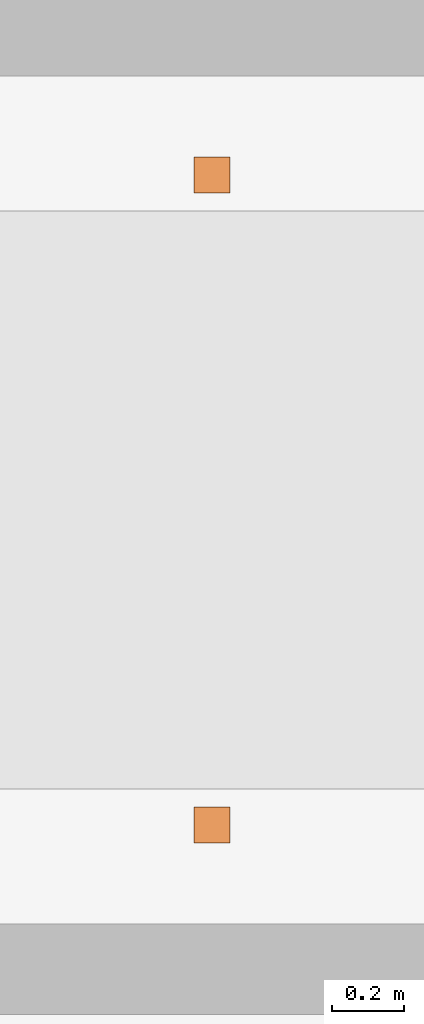
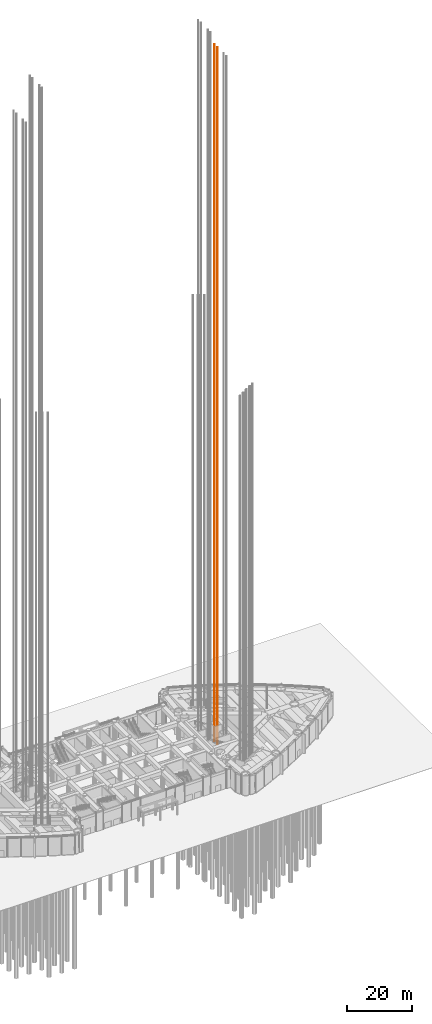
# One storey, part 41 of 43: 1 proxy.
"""IFC4 building model written with IfcOpenShell, lengths in metres."""

from ifc_helpers import new_model, si_unit, direction, frame, origin, origin_2d, place, context, subcontext, project, spatial, rectangle, extrude, material, type_object, element, save


model = new_model("IFC4")

# Units and contexts
model_context = context("Model", 3, precision=1e-05, world=origin(), true_north=direction((0.0, 1.0)))
body_context = subcontext(model_context, "Body", "Model", "MODEL_VIEW")
ifc_project = project(units=[si_unit("LENGTHUNIT", "METRE"), si_unit("AREAUNIT", "SQUARE_METRE"), si_unit("VOLUMEUNIT", "CUBIC_METRE"), si_unit("PLANEANGLEUNIT", "RADIAN"), si_unit("MASSUNIT", "GRAM", prefix="KILO")], contexts=[model_context])

# Site, building, storey
site_placement = place(None, origin())
site = spatial("IfcSite", under=ifc_project, at=site_placement, CompositionType="ELEMENT")
building_placement = place(site_placement, origin())
building = spatial("IfcBuilding", under=site, at=building_placement, Name="Lancet Gate Hotel", CompositionType="ELEMENT")
storey_placement = place(building_placement, origin())
storey = spatial("IfcBuildingStorey", under=building, at=storey_placement, Name="L00", CompositionType="ELEMENT", Elevation=0.0)

# Proxy
ifc_material = material(Name="Steel S355", Category="steel")
building_element_proxy_type = type_object("IfcBuildingElementProxyType", Name="Lift guide rails", PredefinedType="USERDEFINED", material=ifc_material)
proxy_placement = place(storey_placement, frame((35.47509765625, 2.824951171875, 0.0), z_axis=(0.0, 0.0, 1.0), x_axis=(1.0, 0.0, 0.0)))
element("IfcBuildingElementProxy", 1, at=proxy_placement, inside=storey, type_object=building_element_proxy_type, Name="T2-OL4 guide rails", ObjectType="LIFT GUIDE RAILS", PredefinedType="USERDEFINED", context=body_context, shape_type="SweptSolid", body=[
    extrude(rectangle(XDim=0.1, YDim=0.1, at=origin_2d()), frame((0.0, -0.89990234375, 0.0)), (0.0, 0.0, 1.0), 260.300048828125),
    extrude(rectangle(XDim=0.1, YDim=0.1, at=origin_2d()), frame((0.0, 0.89990234375, 0.0)), (0.0, 0.0, 1.0), 260.300048828125),
])

save(model, "model.ifc")
